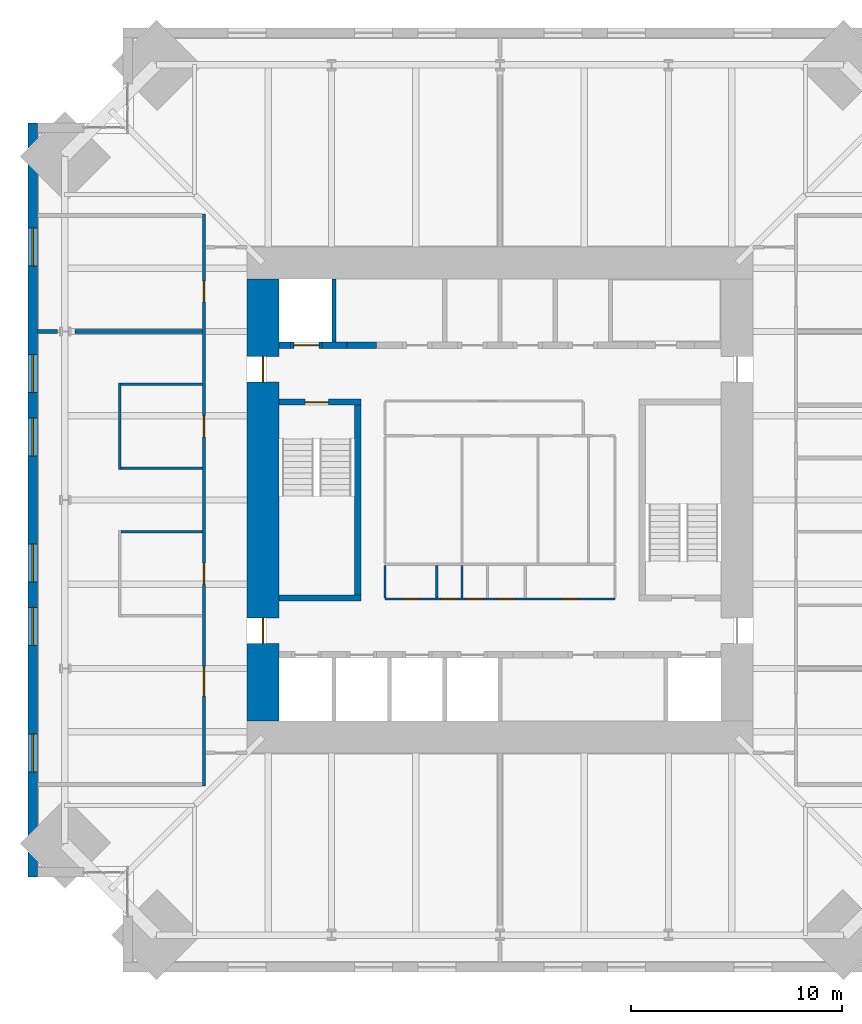
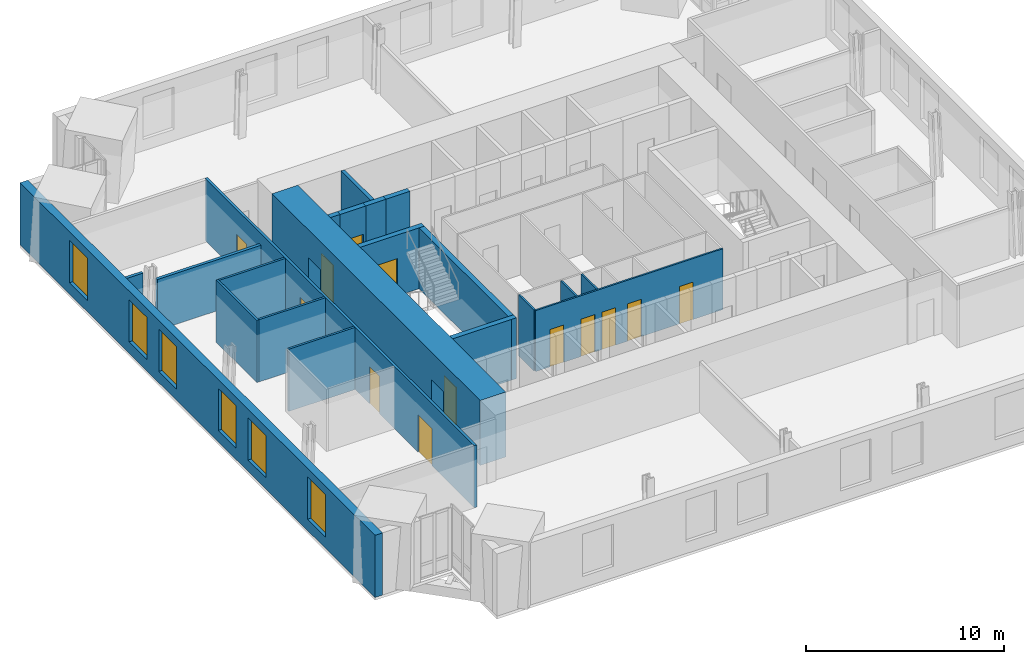
# One storey, part 13 of 17: 21 walls, 13 doors, 6 windows, 19 openings.
"""IFC4 building model written with IfcOpenShell, lengths in metres."""

from ifc_helpers import new_model, si_unit, direction, frame, frame_2d, origin, place, context, subcontext, project, spatial, rectangle, extrude, material, layer, layer_set, type_object, element, fill, save


model = new_model("IFC4")

# Units and contexts
model_context = context("Model", 3, precision=1e-05, world=origin(), true_north=direction((0.0, 1.0)))
body_context = subcontext(model_context, "Body", "Model", "MODEL_VIEW")
ifc_project = project(units=[si_unit("LENGTHUNIT", "METRE"), si_unit("AREAUNIT", "SQUARE_METRE"), si_unit("VOLUMEUNIT", "CUBIC_METRE"), si_unit("PLANEANGLEUNIT", "RADIAN"), si_unit("MASSUNIT", "GRAM", prefix="KILO")], contexts=[model_context])

# Site, building, storey
site_placement = place(None, origin())
site = spatial("IfcSite", under=ifc_project, at=site_placement, CompositionType="ELEMENT")
building_placement = place(site_placement, origin())
building = spatial("IfcBuilding", under=site, at=building_placement, Name="Peilmerk Tower", CompositionType="ELEMENT")
storey_placement = place(building_placement, frame((0.0, 0.0, 253.800048828125)))
storey = spatial("IfcBuildingStorey", under=building, at=storey_placement, Name="L56", CompositionType="ELEMENT", Elevation=253.800048828125)

# Wall, openings, windows
ifc_material_1 = material(Name="Precast concrete C45/55, board-marked finish", Category="concrete")
ifc_layer_1 = layer(ifc_material_1, 0.449951171875)
ifc_layer_set_1 = layer_set([ifc_layer_1], Name="Precast concrete C45/55, board-marked finish")
wall_type_1 = type_object("IfcWallType", Name="EW1 450 precast concrete facade wall, board-marked", PredefinedType="SOLIDWALL", material=ifc_layer_set_1)
wall_1_placement = place(storey_placement, frame((-22.175048828125, 17.89990234375, 0.0), z_axis=(0.0, 0.0, 1.0), x_axis=(0.0, -1.0, 0.0)))
wall_1 = element("IfcWall", 1, at=wall_1_placement, inside=storey, type_object=wall_type_1, Name="Facade wall W L56", PredefinedType="SOLIDWALL", context=body_context, shape_type="SweptSolid", body=[
    extrude(rectangle(XDim=35.7998046875, YDim=0.449951171875, at=frame_2d((17.89990234375, 0.0))), origin(), (0.0, 0.0, 1.0), 3.829833984375),
])
opening_1_placement = place(wall_1_placement, frame((5.0, 0.0, 0.699951171875)))
opening_1 = element("IfcOpeningElement", 2, at=opening_1_placement, cuts=wall_1, Name="Opening W1", PredefinedType="OPENING", context=body_context, shape_type="SweptSolid", body=[
    extrude(rectangle(XDim=1.800048828125, YDim=2.60009765625, at=frame_2d((0.89990234375, 1.300048828125))), frame((0.0, 0.23486328125, 0.0), z_axis=(0.0, -1.0, 0.0), x_axis=(1.0, 0.0, 0.0)), (0.0, 0.0, 1.0), 0.469970703125),
])
opening_2_placement = place(wall_1_placement, frame((11.0, 0.0, 0.699951171875)))
opening_2 = element("IfcOpeningElement", 3, at=opening_2_placement, cuts=wall_1, Name="Opening W1", PredefinedType="OPENING", context=body_context, shape_type="SweptSolid", body=[
    extrude(rectangle(XDim=1.800048828125, YDim=2.60009765625, at=frame_2d((0.89990234375, 1.300048828125))), frame((0.0, 0.23486328125, 0.0), z_axis=(0.0, -1.0, 0.0), x_axis=(1.0, 0.0, 0.0)), (0.0, 0.0, 1.0), 0.469970703125),
])
opening_3_placement = place(wall_1_placement, frame((14.0, 0.0, 0.699951171875)))
opening_3 = element("IfcOpeningElement", 4, at=opening_3_placement, cuts=wall_1, Name="Opening W1", PredefinedType="OPENING", context=body_context, shape_type="SweptSolid", body=[
    extrude(rectangle(XDim=1.800048828125, YDim=2.60009765625, at=frame_2d((0.89990234375, 1.300048828125))), frame((0.0, 0.23486328125, 0.0), z_axis=(0.0, -1.0, 0.0), x_axis=(1.0, 0.0, 0.0)), (0.0, 0.0, 1.0), 0.469970703125),
])
opening_4_placement = place(wall_1_placement, frame((20.0, 0.0, 0.699951171875)))
opening_4 = element("IfcOpeningElement", 5, at=opening_4_placement, cuts=wall_1, Name="Opening W1", PredefinedType="OPENING", context=body_context, shape_type="SweptSolid", body=[
    extrude(rectangle(XDim=1.800048828125, YDim=2.60009765625, at=frame_2d((0.89990234375, 1.300048828125))), frame((0.0, 0.23486328125, 0.0), z_axis=(0.0, -1.0, 0.0), x_axis=(1.0, 0.0, 0.0)), (0.0, 0.0, 1.0), 0.469970703125),
])
opening_5_placement = place(wall_1_placement, frame((23.0, 0.0, 0.699951171875)))
opening_5 = element("IfcOpeningElement", 6, at=opening_5_placement, cuts=wall_1, Name="Opening W1", PredefinedType="OPENING", context=body_context, shape_type="SweptSolid", body=[
    extrude(rectangle(XDim=1.800048828125, YDim=2.60009765625, at=frame_2d((0.89990234375, 1.300048828125))), frame((0.0, 0.23486328125, 0.0), z_axis=(0.0, -1.0, 0.0), x_axis=(1.0, 0.0, 0.0)), (0.0, 0.0, 1.0), 0.469970703125),
])
opening_6_placement = place(wall_1_placement, frame((29.0, 0.0, 0.699951171875)))
opening_6 = element("IfcOpeningElement", 7, at=opening_6_placement, cuts=wall_1, Name="Opening W1", PredefinedType="OPENING", context=body_context, shape_type="SweptSolid", body=[
    extrude(rectangle(XDim=1.800048828125, YDim=2.60009765625, at=frame_2d((0.89990234375, 1.300048828125))), frame((0.0, 0.23486328125, 0.0), z_axis=(0.0, -1.0, 0.0), x_axis=(1.0, 0.0, 0.0)), (0.0, 0.0, 1.0), 0.469970703125),
])
ifc_material_2 = material(Name="Aluminium frame, clear double glazing", Category="aluminium")
window_type = type_object("IfcWindowType", Name="W1 1800x2600 office window", PartitioningType="SINGLE_PANEL", PredefinedType="WINDOW", material=ifc_material_2)
window_1_placement = place(opening_1_placement, origin())
window_1 = element("IfcWindow", 8, at=window_1_placement, inside=storey, type_object=window_type, Name="Window W1 L56", OverallHeight=2.60009765625, OverallWidth=1.800048828125, PartitioningType="SINGLE_PANEL", PredefinedType="WINDOW", context=body_context, shape_type="SweptSolid", body=[
    extrude(rectangle(XDim=1.800048828125, YDim=2.60009765625, at=frame_2d((0.89990234375, 1.300048828125))), frame((0.0, 0.030029296875, 0.0), z_axis=(0.0, -1.0, 0.0), x_axis=(1.0, 0.0, 0.0)), (0.0, 0.0, 1.0), 0.06005859375),
])
fill(opening_1, window_1)
window_2_placement = place(opening_2_placement, origin())
window_2 = element("IfcWindow", 9, at=window_2_placement, inside=storey, type_object=window_type, Name="Window W1 L56", OverallHeight=2.60009765625, OverallWidth=1.800048828125, PartitioningType="SINGLE_PANEL", PredefinedType="WINDOW", context=body_context, shape_type="SweptSolid", body=[
    extrude(rectangle(XDim=1.800048828125, YDim=2.60009765625, at=frame_2d((0.89990234375, 1.300048828125))), frame((0.0, 0.030029296875, 0.0), z_axis=(0.0, -1.0, 0.0), x_axis=(1.0, 0.0, 0.0)), (0.0, 0.0, 1.0), 0.06005859375),
])
fill(opening_2, window_2)
window_3_placement = place(opening_3_placement, origin())
window_3 = element("IfcWindow", 10, at=window_3_placement, inside=storey, type_object=window_type, Name="Window W1 L56", OverallHeight=2.60009765625, OverallWidth=1.800048828125, PartitioningType="SINGLE_PANEL", PredefinedType="WINDOW", context=body_context, shape_type="SweptSolid", body=[
    extrude(rectangle(XDim=1.800048828125, YDim=2.60009765625, at=frame_2d((0.89990234375, 1.300048828125))), frame((0.0, 0.030029296875, 0.0), z_axis=(0.0, -1.0, 0.0), x_axis=(1.0, 0.0, 0.0)), (0.0, 0.0, 1.0), 0.06005859375),
])
fill(opening_3, window_3)
window_4_placement = place(opening_4_placement, origin())
window_4 = element("IfcWindow", 11, at=window_4_placement, inside=storey, type_object=window_type, Name="Window W1 L56", OverallHeight=2.60009765625, OverallWidth=1.800048828125, PartitioningType="SINGLE_PANEL", PredefinedType="WINDOW", context=body_context, shape_type="SweptSolid", body=[
    extrude(rectangle(XDim=1.800048828125, YDim=2.60009765625, at=frame_2d((0.89990234375, 1.300048828125))), frame((0.0, 0.030029296875, 0.0), z_axis=(0.0, -1.0, 0.0), x_axis=(1.0, 0.0, 0.0)), (0.0, 0.0, 1.0), 0.06005859375),
])
fill(opening_4, window_4)
window_5_placement = place(opening_5_placement, origin())
window_5 = element("IfcWindow", 12, at=window_5_placement, inside=storey, type_object=window_type, Name="Window W1 L56", OverallHeight=2.60009765625, OverallWidth=1.800048828125, PartitioningType="SINGLE_PANEL", PredefinedType="WINDOW", context=body_context, shape_type="SweptSolid", body=[
    extrude(rectangle(XDim=1.800048828125, YDim=2.60009765625, at=frame_2d((0.89990234375, 1.300048828125))), frame((0.0, 0.030029296875, 0.0), z_axis=(0.0, -1.0, 0.0), x_axis=(1.0, 0.0, 0.0)), (0.0, 0.0, 1.0), 0.06005859375),
])
fill(opening_5, window_5)
window_6_placement = place(opening_6_placement, origin())
window_6 = element("IfcWindow", 13, at=window_6_placement, inside=storey, type_object=window_type, Name="Window W1 L56", OverallHeight=2.60009765625, OverallWidth=1.800048828125, PartitioningType="SINGLE_PANEL", PredefinedType="WINDOW", context=body_context, shape_type="SweptSolid", body=[
    extrude(rectangle(XDim=1.800048828125, YDim=2.60009765625, at=frame_2d((0.89990234375, 1.300048828125))), frame((0.0, 0.030029296875, 0.0), z_axis=(0.0, -1.0, 0.0), x_axis=(1.0, 0.0, 0.0)), (0.0, 0.0, 1.0), 0.06005859375),
])
fill(opening_6, window_6)

# Wall, openings, doors
ifc_material_3 = material(Name="Calcium silicate block", Category="masonry")
ifc_layer_2 = layer(ifc_material_3, 0.14990234375)
ifc_layer_set_2 = layer_set([ifc_layer_2], Name="Calcium silicate block")
wall_type_2 = type_object("IfcWallType", Name="IW1 150 corridor partition, EI 60", PredefinedType="PARTITIONING", material=ifc_layer_set_2)
wall_2_placement = place(storey_placement, frame((-14.050048828125, 13.574951171875, 0.0), z_axis=(0.0, 0.0, 1.0), x_axis=(0.0, -1.0, 0.0)))
wall_2 = element("IfcWall", 14, at=wall_2_placement, inside=storey, type_object=wall_type_2, Name="Corridor wall W L56", PredefinedType="PARTITIONING", context=body_context, shape_type="SweptSolid", body=[
    extrude(rectangle(XDim=27.14990234375, YDim=0.14990234375, at=frame_2d((13.574951171875, 0.0))), origin(), (0.0, 0.0, 1.0), 3.829833984375),
])
opening_7_placement = place(wall_2_placement, frame((21.47509765625, 0.0, 0.0)))
opening_7 = element("IfcOpeningElement", 15, at=opening_7_placement, cuts=wall_2, Name="Opening D8", PredefinedType="OPENING", context=body_context, shape_type="SweptSolid", body=[
    extrude(rectangle(XDim=1.39990234375, YDim=2.300048828125, at=frame_2d((0.699951171875, 1.14990234375))), frame((0.0, 0.0849609375, 0.0), z_axis=(0.0, -1.0, 0.0), x_axis=(1.0, 0.0, 0.0)), (0.0, 0.0, 1.0), 0.169921875),
])
opening_8_placement = place(wall_2_placement, frame((3.175048828125, 0.0, 0.0)))
opening_8 = element("IfcOpeningElement", 16, at=opening_8_placement, cuts=wall_2, Name="Opening D1", PredefinedType="OPENING", context=body_context, shape_type="SweptSolid", body=[
    extrude(rectangle(XDim=1.0, YDim=2.300048828125, at=frame_2d((0.5, 1.14990234375))), frame((0.0, 0.0849609375, 0.0), z_axis=(0.0, -1.0, 0.0), x_axis=(1.0, 0.0, 0.0)), (0.0, 0.0, 1.0), 0.169921875),
])
opening_9_placement = place(wall_2_placement, frame((16.574951171875, 0.0, 0.0)))
opening_9 = element("IfcOpeningElement", 17, at=opening_9_placement, cuts=wall_2, Name="Opening D1", PredefinedType="OPENING", context=body_context, shape_type="SweptSolid", body=[
    extrude(rectangle(XDim=1.0, YDim=2.300048828125, at=frame_2d((0.5, 1.14990234375))), frame((0.0, 0.0849609375, 0.0), z_axis=(0.0, -1.0, 0.0), x_axis=(1.0, 0.0, 0.0)), (0.0, 0.0, 1.0), 0.169921875),
])
opening_10_placement = place(wall_2_placement, frame((9.574951171875, 0.0, 0.0)))
opening_10 = element("IfcOpeningElement", 18, at=opening_10_placement, cuts=wall_2, Name="Opening D1", PredefinedType="OPENING", context=body_context, shape_type="SweptSolid", body=[
    extrude(rectangle(XDim=1.0, YDim=2.300048828125, at=frame_2d((0.5, 1.14990234375))), frame((0.0, 0.0849609375, 0.0), z_axis=(0.0, -1.0, 0.0), x_axis=(1.0, 0.0, 0.0)), (0.0, 0.0, 1.0), 0.169921875),
])
ifc_material_4 = material(Name="Timber door in steel frame", Category="steel")
door_type_1 = type_object("IfcDoorType", Name="D1 1000x2300 room door, EI2 30", OperationType="SINGLE_SWING_LEFT", PredefinedType="DOOR", material=ifc_material_4)
door_1_placement = place(opening_8_placement, frame((1.0, 0.0, 0.0), z_axis=(0.0, 0.0, 1.0), x_axis=(-1.0, 0.0, 0.0)))
door_1 = element("IfcDoor", 19, at=door_1_placement, inside=storey, type_object=door_type_1, Name="Door Office L56", OperationType="SINGLE_SWING_LEFT", OverallHeight=2.300048828125, OverallWidth=1.0, PredefinedType="DOOR", context=body_context, shape_type="SweptSolid", body=[
    extrude(rectangle(XDim=1.0, YDim=2.300048828125, at=frame_2d((0.5, 1.14990234375))), frame((0.0, 0.02490234375, 0.0), z_axis=(0.0, -1.0, 0.0), x_axis=(1.0, 0.0, 0.0)), (0.0, 0.0, 1.0), 0.050048828125),
])
fill(opening_8, door_1)
door_2_placement = place(opening_9_placement, frame((1.0, 0.0, 0.0), z_axis=(0.0, 0.0, 1.0), x_axis=(-1.0, 0.0, 0.0)))
door_2 = element("IfcDoor", 20, at=door_2_placement, inside=storey, type_object=door_type_1, Name="Door Meeting room L56", OperationType="SINGLE_SWING_LEFT", OverallHeight=2.300048828125, OverallWidth=1.0, PredefinedType="DOOR", context=body_context, shape_type="SweptSolid", body=[
    extrude(rectangle(XDim=1.0, YDim=2.300048828125, at=frame_2d((0.5, 1.14990234375))), frame((0.0, 0.02490234375, 0.0), z_axis=(0.0, -1.0, 0.0), x_axis=(1.0, 0.0, 0.0)), (0.0, 0.0, 1.0), 0.050048828125),
])
fill(opening_9, door_2)
door_3_placement = place(opening_10_placement, frame((1.0, 0.0, 0.0), z_axis=(0.0, 0.0, 1.0), x_axis=(-1.0, 0.0, 0.0)))
door_3 = element("IfcDoor", 21, at=door_3_placement, inside=storey, type_object=door_type_1, Name="Door Meeting room L56", OperationType="SINGLE_SWING_LEFT", OverallHeight=2.300048828125, OverallWidth=1.0, PredefinedType="DOOR", context=body_context, shape_type="SweptSolid", body=[
    extrude(rectangle(XDim=1.0, YDim=2.300048828125, at=frame_2d((0.5, 1.14990234375))), frame((0.0, 0.02490234375, 0.0), z_axis=(0.0, -1.0, 0.0), x_axis=(1.0, 0.0, 0.0)), (0.0, 0.0, 1.0), 0.050048828125),
])
fill(opening_10, door_3)
door_type_2 = type_object("IfcDoorType", Name="D8 1400x2300 leaf-and-a-half door, EI2 30", OperationType="DOUBLE_DOOR_SINGLE_SWING", PredefinedType="DOOR", material=ifc_material_4)
door_4_placement = place(opening_7_placement, frame((1.39990234375, 0.0, 0.0), z_axis=(0.0, 0.0, 1.0), x_axis=(-1.0, 0.0, 0.0)))
door_4 = element("IfcDoor", 22, at=door_4_placement, inside=storey, type_object=door_type_2, Name="Door Tenant suite L56", OperationType="DOUBLE_DOOR_SINGLE_SWING", OverallHeight=2.300048828125, OverallWidth=1.39990234375, PredefinedType="DOOR", context=body_context, shape_type="SweptSolid", body=[
    extrude(rectangle(XDim=1.39990234375, YDim=2.300048828125, at=frame_2d((0.699951171875, 1.14990234375))), frame((0.0, 0.02490234375, 0.0), z_axis=(0.0, -1.0, 0.0), x_axis=(1.0, 0.0, 0.0)), (0.0, 0.0, 1.0), 0.050048828125),
])
fill(opening_7, door_4)

# Wall
ifc_material_5 = material(Name="Concrete C35/45", Category="concrete")
ifc_layer_3 = layer(ifc_material_5, 0.300048828125)
ifc_layer_set_3 = layer_set([ifc_layer_3], Name="Concrete C35/45")
wall_type_3 = type_object("IfcWallType", Name="IW3 300 concrete stair enclosure wall, EI 120", PredefinedType="SOLIDWALL", material=ifc_layer_set_3)
wall_3_placement = place(storey_placement, frame((-6.75, -4.800048828125, 0.0), z_axis=(0.0, 0.0, 1.0), x_axis=(0.0, 1.0, 0.0)))
element("IfcWall", 23, at=wall_3_placement, inside=storey, type_object=wall_type_3, Name="Stair 1 enclosure L56", PredefinedType="SOLIDWALL", context=body_context, shape_type="SweptSolid", body=[
    extrude(rectangle(XDim=9.60009765625, YDim=0.300048828125, at=frame_2d((4.800048828125, 0.0))), origin(), (0.0, 0.0, 1.0), 3.75),
])

# Wall, opening, door
wall_4_placement = place(storey_placement, frame((-10.5, 4.64990234375, 0.0), z_axis=(0.0, 0.0, 1.0), x_axis=(1.0, 0.0, 0.0)))
wall_4 = element("IfcWall", 24, at=wall_4_placement, inside=storey, type_object=wall_type_3, Name="Stair 1 enclosure L56", PredefinedType="SOLIDWALL", context=body_context, shape_type="SweptSolid", body=[
    extrude(rectangle(XDim=3.89990234375, YDim=0.300048828125, at=frame_2d((1.949951171875, 0.0))), origin(), (0.0, 0.0, 1.0), 3.75),
])
opening_11_placement = place(wall_4_placement, frame((1.25, 0.0, 0.0)))
opening_11 = element("IfcOpeningElement", 25, at=opening_11_placement, cuts=wall_4, Name="Opening D4", PredefinedType="OPENING", context=body_context, shape_type="SweptSolid", body=[
    extrude(rectangle(XDim=1.10009765625, YDim=2.300048828125, at=frame_2d((0.550048828125, 1.14990234375))), frame((0.0, 0.159912109375, 0.0), z_axis=(0.0, -1.0, 0.0), x_axis=(1.0, 0.0, 0.0)), (0.0, 0.0, 1.0), 0.320068359375),
])
ifc_material_6 = material(Name="Steel door in steel frame", Category="steel")
door_type_3 = type_object("IfcDoorType", Name="D4 1100x2300 stair door, EI2 60", OperationType="SINGLE_SWING_RIGHT", PredefinedType="DOOR", material=ifc_material_6)
door_5_placement = place(opening_11_placement, frame((1.10009765625, 0.0, 0.0), z_axis=(0.0, 0.0, 1.0), x_axis=(-1.0, 0.0, 0.0)))
door_5 = element("IfcDoor", 26, at=door_5_placement, inside=storey, type_object=door_type_3, Name="Stair 1 door L56", OperationType="SINGLE_SWING_RIGHT", OverallHeight=2.300048828125, OverallWidth=1.10009765625, PredefinedType="DOOR", context=body_context, shape_type="SweptSolid", body=[
    extrude(rectangle(XDim=1.10009765625, YDim=2.300048828125, at=frame_2d((0.550048828125, 1.14990234375))), frame((0.0, 0.02490234375, 0.0), z_axis=(0.0, -1.0, 0.0), x_axis=(1.0, 0.0, 0.0)), (0.0, 0.0, 1.0), 0.050048828125),
])
fill(opening_11, door_5)

# Wall
wall_5_placement = place(storey_placement, frame((-6.60009765625, -4.64990234375, 0.0), z_axis=(0.0, 0.0, 1.0), x_axis=(-1.0, 0.0, 0.0)))
element("IfcWall", 27, at=wall_5_placement, inside=storey, type_object=wall_type_3, Name="Stair 1 enclosure L56", PredefinedType="SOLIDWALL", context=body_context, shape_type="SweptSolid", body=[
    extrude(rectangle(XDim=3.89990234375, YDim=0.300048828125, at=frame_2d((1.949951171875, 0.0))), origin(), (0.0, 0.0, 1.0), 3.75),
])

# Wall, openings, doors
ifc_material_7 = material(Name="Calcium silicate board on steel studs", Category="steel")
ifc_layer_4 = layer(ifc_material_7, 0.10009765625)
ifc_layer_set_4 = layer_set([ifc_layer_4], Name="Calcium silicate board on steel studs")
wall_type_4 = type_object("IfcWallType", Name="IW5 100 riser enclosure wall, EI 60", PredefinedType="PARTITIONING", material=ifc_layer_set_4)
wall_6_placement = place(storey_placement, frame((5.449951171875, -4.699951171875, 0.0), z_axis=(0.0, 0.0, 1.0), x_axis=(-1.0, 0.0, 0.0)))
wall_6 = element("IfcWall", 28, at=wall_6_placement, inside=storey, type_object=wall_type_4, Name="Riser wall L56", PredefinedType="PARTITIONING", context=body_context, shape_type="SweptSolid", body=[
    extrude(rectangle(XDim=10.89990234375, YDim=0.10009765625, at=frame_2d((5.449951171875, 0.0))), origin(), (0.0, 0.0, 1.0), 3.75),
])
opening_12_placement = place(wall_6_placement, frame((9.27490234375, 0.0, 0.0)))
opening_12 = element("IfcOpeningElement", 29, at=opening_12_placement, cuts=wall_6, Name="Opening D7", PredefinedType="OPENING", context=body_context, shape_type="SweptSolid", body=[
    extrude(rectangle(XDim=0.800048828125, YDim=2.300048828125, at=frame_2d((0.39990234375, 1.14990234375))), frame((0.0, 0.06005859375, 0.0), z_axis=(0.0, -1.0, 0.0), x_axis=(1.0, 0.0, 0.0)), (0.0, 0.0, 1.0), 0.1201171875),
])
opening_13_placement = place(wall_6_placement, frame((7.449951171875, 0.0, 0.0)))
opening_13 = element("IfcOpeningElement", 30, at=opening_13_placement, cuts=wall_6, Name="Opening D7", PredefinedType="OPENING", context=body_context, shape_type="SweptSolid", body=[
    extrude(rectangle(XDim=0.800048828125, YDim=2.300048828125, at=frame_2d((0.39990234375, 1.14990234375))), frame((0.0, 0.06005859375, 0.0), z_axis=(0.0, -1.0, 0.0), x_axis=(1.0, 0.0, 0.0)), (0.0, 0.0, 1.0), 0.1201171875),
])
opening_14_placement = place(wall_6_placement, frame((6.25, 0.0, 0.0)))
opening_14 = element("IfcOpeningElement", 31, at=opening_14_placement, cuts=wall_6, Name="Opening D7", PredefinedType="OPENING", context=body_context, shape_type="SweptSolid", body=[
    extrude(rectangle(XDim=0.800048828125, YDim=2.300048828125, at=frame_2d((0.39990234375, 1.14990234375))), frame((0.0, 0.06005859375, 0.0), z_axis=(0.0, -1.0, 0.0), x_axis=(1.0, 0.0, 0.0)), (0.0, 0.0, 1.0), 0.1201171875),
])
opening_15_placement = place(wall_6_placement, frame((4.75, 0.0, 0.0)))
opening_15 = element("IfcOpeningElement", 32, at=opening_15_placement, cuts=wall_6, Name="Opening D7", PredefinedType="OPENING", context=body_context, shape_type="SweptSolid", body=[
    extrude(rectangle(XDim=0.800048828125, YDim=2.300048828125, at=frame_2d((0.39990234375, 1.14990234375))), frame((0.0, 0.06005859375, 0.0), z_axis=(0.0, -1.0, 0.0), x_axis=(1.0, 0.0, 0.0)), (0.0, 0.0, 1.0), 0.1201171875),
])
opening_16_placement = place(wall_6_placement, frame((1.72509765625, 0.0, 0.0)))
opening_16 = element("IfcOpeningElement", 33, at=opening_16_placement, cuts=wall_6, Name="Opening D7", PredefinedType="OPENING", context=body_context, shape_type="SweptSolid", body=[
    extrude(rectangle(XDim=0.800048828125, YDim=2.300048828125, at=frame_2d((0.39990234375, 1.14990234375))), frame((0.0, 0.06005859375, 0.0), z_axis=(0.0, -1.0, 0.0), x_axis=(1.0, 0.0, 0.0)), (0.0, 0.0, 1.0), 0.1201171875),
])
door_type_4 = type_object("IfcDoorType", Name="D7 800x2300 riser access door, EI2 60", OperationType="SINGLE_SWING_RIGHT", PredefinedType="DOOR", material=ifc_material_6)
door_6_placement = place(opening_12_placement, frame((0.800048828125, 0.0, 0.0), z_axis=(0.0, 0.0, 1.0), x_axis=(-1.0, 0.0, 0.0)))
door_6 = element("IfcDoor", 34, at=door_6_placement, inside=storey, type_object=door_type_4, Name="Electrical room door L56", OperationType="SINGLE_SWING_RIGHT", OverallHeight=2.300048828125, OverallWidth=0.800048828125, PredefinedType="DOOR", context=body_context, shape_type="SweptSolid", body=[
    extrude(rectangle(XDim=0.800048828125, YDim=2.300048828125, at=frame_2d((0.39990234375, 1.14990234375))), frame((0.0, 0.02490234375, 0.0), z_axis=(0.0, -1.0, 0.0), x_axis=(1.0, 0.0, 0.0)), (0.0, 0.0, 1.0), 0.050048828125),
])
fill(opening_12, door_6)
door_7_placement = place(opening_13_placement, frame((0.800048828125, 0.0, 0.0), z_axis=(0.0, 0.0, 1.0), x_axis=(-1.0, 0.0, 0.0)))
door_7 = element("IfcDoor", 35, at=door_7_placement, inside=storey, type_object=door_type_4, Name="Electrical riser door L56", OperationType="SINGLE_SWING_RIGHT", OverallHeight=2.300048828125, OverallWidth=0.800048828125, PredefinedType="DOOR", context=body_context, shape_type="SweptSolid", body=[
    extrude(rectangle(XDim=0.800048828125, YDim=2.300048828125, at=frame_2d((0.39990234375, 1.14990234375))), frame((0.0, 0.02490234375, 0.0), z_axis=(0.0, -1.0, 0.0), x_axis=(1.0, 0.0, 0.0)), (0.0, 0.0, 1.0), 0.050048828125),
])
fill(opening_13, door_7)
door_8_placement = place(opening_14_placement, frame((0.800048828125, 0.0, 0.0), z_axis=(0.0, 0.0, 1.0), x_axis=(-1.0, 0.0, 0.0)))
door_8 = element("IfcDoor", 36, at=door_8_placement, inside=storey, type_object=door_type_4, Name="Data riser door L56", OperationType="SINGLE_SWING_RIGHT", OverallHeight=2.300048828125, OverallWidth=0.800048828125, PredefinedType="DOOR", context=body_context, shape_type="SweptSolid", body=[
    extrude(rectangle(XDim=0.800048828125, YDim=2.300048828125, at=frame_2d((0.39990234375, 1.14990234375))), frame((0.0, 0.02490234375, 0.0), z_axis=(0.0, -1.0, 0.0), x_axis=(1.0, 0.0, 0.0)), (0.0, 0.0, 1.0), 0.050048828125),
])
fill(opening_14, door_8)
door_9_placement = place(opening_15_placement, frame((0.800048828125, 0.0, 0.0), z_axis=(0.0, 0.0, 1.0), x_axis=(-1.0, 0.0, 0.0)))
door_9 = element("IfcDoor", 37, at=door_9_placement, inside=storey, type_object=door_type_4, Name="Cleaner's cupboard door L56", OperationType="SINGLE_SWING_RIGHT", OverallHeight=2.300048828125, OverallWidth=0.800048828125, PredefinedType="DOOR", context=body_context, shape_type="SweptSolid", body=[
    extrude(rectangle(XDim=0.800048828125, YDim=2.300048828125, at=frame_2d((0.39990234375, 1.14990234375))), frame((0.0, 0.02490234375, 0.0), z_axis=(0.0, -1.0, 0.0), x_axis=(1.0, 0.0, 0.0)), (0.0, 0.0, 1.0), 0.050048828125),
])
fill(opening_15, door_9)
door_10_placement = place(opening_16_placement, frame((0.800048828125, 0.0, 0.0), z_axis=(0.0, 0.0, 1.0), x_axis=(-1.0, 0.0, 0.0)))
door_10 = element("IfcDoor", 38, at=door_10_placement, inside=storey, type_object=door_type_4, Name="Comms room door L56", OperationType="SINGLE_SWING_RIGHT", OverallHeight=2.300048828125, OverallWidth=0.800048828125, PredefinedType="DOOR", context=body_context, shape_type="SweptSolid", body=[
    extrude(rectangle(XDim=0.800048828125, YDim=2.300048828125, at=frame_2d((0.39990234375, 1.14990234375))), frame((0.0, 0.02490234375, 0.0), z_axis=(0.0, -1.0, 0.0), x_axis=(1.0, 0.0, 0.0)), (0.0, 0.0, 1.0), 0.050048828125),
])
fill(opening_16, door_10)

# Walls
for number, where, z_axis, x_axis, name in (
    (39, (-5.449951171875, -3.10009765625, 0.0), (0.0, 0.0, 1.0), (0.0, -1.0, 0.0), "Riser wall L56"),
    (40, (-3.0, -3.10009765625, 0.0), (0.0, 0.0, 1.0), (0.0, -1.0, 0.0), "Riser wall L56"),
    (41, (-1.800048828125, -3.10009765625, 0.0), (0.0, 0.0, 1.0), (0.0, -1.0, 0.0), "Riser wall L56"),
):
    element("IfcWall", number, at=place(storey_placement, frame(where, z_axis=z_axis, x_axis=x_axis)), inside=storey, type_object=wall_type_4, Name=name, PredefinedType="PARTITIONING", context=body_context, shape_type="SweptSolid", body=[
        extrude(rectangle(XDim=1.5498046875, YDim=0.10009765625, at=frame_2d((0.77490234375, 0.0))), origin(), (0.0, 0.0, 1.0), 3.75),
    ])
ifc_material_8 = material(Name="Plasterboard on steel studs, double boarded with mineral wool", Category="steel")
ifc_layer_5 = layer(ifc_material_8, 0.125)
ifc_layer_set_5 = layer_set([ifc_layer_5], Name="Plasterboard on steel studs, double boarded with mineral wool")
wall_type_5 = type_object("IfcWallType", Name="IW7 125 acoustic partition, EI 30", PredefinedType="PARTITIONING", material=ifc_layer_set_5)
wall_7_placement = place(storey_placement, frame((-14.125, -1.5, 0.0), z_axis=(0.0, 0.0, 1.0), x_axis=(-1.0, 0.0, 0.0)))
element("IfcWall", 42, at=wall_7_placement, inside=storey, type_object=wall_type_5, Name="Acoustic partition Meeting room L56", PredefinedType="PARTITIONING", context=body_context, shape_type="SweptSolid", body=[
    extrude(rectangle(XDim=3.862548828125, YDim=0.125, at=frame_2d((1.93115234375, 0.0))), origin(), (0.0, 0.0, 1.0), 3.829833984375),
])
wall_8_placement = place(storey_placement, frame((-18.050048828125, 1.4375, 0.0), z_axis=(0.0, 0.0, 1.0), x_axis=(0.0, 1.0, 0.0)))
element("IfcWall", 43, at=wall_8_placement, inside=storey, type_object=wall_type_5, Name="Acoustic partition Meeting room L56", PredefinedType="PARTITIONING", context=body_context, shape_type="SweptSolid", body=[
    extrude(rectangle(XDim=4.125, YDim=0.125, at=frame_2d((2.0625, 0.0))), origin(), (0.0, 0.0, 1.0), 3.829833984375),
])
for number, where, z_axis, x_axis, name in (
    (44, (-14.125, 1.5, 0.0), (0.0, 0.0, 1.0), (-1.0, 0.0, 0.0), "Acoustic partition Meeting room L56"),
    (45, (-14.125, 5.5, 0.0), (0.0, 0.0, 1.0), (-1.0, 0.0, 0.0), "Acoustic partition Meeting room L56"),
):
    element("IfcWall", number, at=place(storey_placement, frame(where, z_axis=z_axis, x_axis=x_axis)), inside=storey, type_object=wall_type_5, Name=name, PredefinedType="PARTITIONING", context=body_context, shape_type="SweptSolid", body=[
        extrude(rectangle(XDim=3.862548828125, YDim=0.125, at=frame_2d((1.93115234375, 0.0))), origin(), (0.0, 0.0, 1.0), 3.829833984375),
    ])
ifc_layer_6 = layer(ifc_material_3, 0.175048828125)
ifc_layer_set_6 = layer_set([ifc_layer_6], Name="Calcium silicate block")
wall_type_6 = type_object("IfcWallType", Name="IW8 175 tenant separating wall, EI 60", PredefinedType="PARTITIONING", material=ifc_layer_set_6)
wall_9_placement = place(storey_placement, frame((-14.125, 8.0, 0.0), z_axis=(0.0, 0.0, 1.0), x_axis=(-1.0, 0.0, 0.0)))
element("IfcWall", 46, at=wall_9_placement, inside=storey, type_object=wall_type_6, Name="Tenant separating wall W1 L56", PredefinedType="PARTITIONING", context=body_context, shape_type="SweptSolid", body=[
    extrude(rectangle(XDim=6.046875, YDim=0.175048828125, at=frame_2d((3.0234375, 0.0))), origin(), (0.0, 0.0, 1.0), 3.139892578125),
])
wall_10_placement = place(storey_placement, frame((-20.992431640625, 8.0, 0.0), z_axis=(0.0, 0.0, 1.0), x_axis=(-1.0, 0.0, 0.0)))
element("IfcWall", 47, at=wall_10_placement, inside=storey, type_object=wall_type_6, Name="Tenant separating wall W1b L56", PredefinedType="PARTITIONING", context=body_context, shape_type="SweptSolid", body=[
    extrude(rectangle(XDim=0.95751953125, YDim=0.175048828125, at=frame_2d((0.478759765625, 0.0))), origin(), (0.0, 0.0, 1.0), 3.829833984375),
])
ifc_layer_7 = layer(ifc_material_3, 0.199951171875)
ifc_layer_set_7 = layer_set([ifc_layer_7], Name="Calcium silicate block")
wall_type_7 = type_object("IfcWallType", Name="SH1 200 shaft dividing wall, EI 120", PredefinedType="PARTITIONING", material=ifc_layer_set_7)
wall_11_placement = place(storey_placement, frame((-7.875, 7.5, 0.0), z_axis=(0.0, 0.0, 1.0), x_axis=(0.0, 1.0, 0.0)))
element("IfcWall", 48, at=wall_11_placement, inside=storey, type_object=wall_type_7, Name="Shaft wall N FL1 L56", PredefinedType="PARTITIONING", context=body_context, shape_type="SweptSolid", body=[
    extrude(rectangle(XDim=3.0, YDim=0.199951171875, at=frame_2d((1.5, 0.0))), origin(), (0.0, 0.0, 1.0), 4.0),
])

# Wall, opening, door
ifc_layer_8 = layer(ifc_material_3, 0.300048828125)
ifc_layer_set_8 = layer_set([ifc_layer_8], Name="Calcium silicate block")
wall_type_8 = type_object("IfcWallType", Name="SH2 300 lift landing door panel, EI 120", PredefinedType="PARTITIONING", material=ifc_layer_set_8)
wall_12_placement = place(storey_placement, frame((-9.9375, 7.35009765625, 0.0), z_axis=(0.0, 0.0, 1.0), x_axis=(1.0, 0.0, 0.0)))
wall_12 = element("IfcWall", 49, at=wall_12_placement, inside=storey, type_object=wall_type_8, Name="Lift door panel N FL1 L56", PredefinedType="PARTITIONING", context=body_context, shape_type="SweptSolid", body=[
    extrude(rectangle(XDim=1.5, YDim=0.300048828125, at=frame_2d((0.75, 0.0))), origin(), (0.0, 0.0, 1.0), 4.0),
])
opening_17_placement = place(wall_12_placement, frame((0.14990234375, 0.0, 0.0)))
opening_17 = element("IfcOpeningElement", 50, at=opening_17_placement, cuts=wall_12, Name="Opening LD2", PredefinedType="OPENING", context=body_context, shape_type="SweptSolid", body=[
    extrude(rectangle(XDim=1.199951171875, YDim=2.300048828125, at=frame_2d((0.60009765625, 1.14990234375))), frame((0.0, 0.159912109375, 0.0), z_axis=(0.0, -1.0, 0.0), x_axis=(1.0, 0.0, 0.0)), (0.0, 0.0, 1.0), 0.320068359375),
])
ifc_material_9 = material(Name="Stainless steel landing door", Category="steel")
door_type_5 = type_object("IfcDoorType", Name="LD2 1200x2300 lift landing door, sliding, EI2 60", OperationType="SLIDING_TO_LEFT", PredefinedType="DOOR", material=ifc_material_9)
door_11_placement = place(opening_17_placement, frame((1.199951171875, 0.0, 0.0), z_axis=(0.0, 0.0, 1.0), x_axis=(-1.0, 0.0, 0.0)))
door_11 = element("IfcDoor", 51, at=door_11_placement, inside=storey, type_object=door_type_5, Name="Lift landing door FL1 L56", OperationType="SLIDING_TO_LEFT", OverallHeight=2.300048828125, OverallWidth=1.199951171875, PredefinedType="DOOR", context=body_context, shape_type="SweptSolid", body=[
    extrude(rectangle(XDim=1.199951171875, YDim=2.300048828125, at=frame_2d((0.60009765625, 1.14990234375))), frame((0.0, 0.02490234375, 0.0), z_axis=(0.0, -1.0, 0.0), x_axis=(1.0, 0.0, 0.0)), (0.0, 0.0, 1.0), 0.050048828125),
])
fill(opening_17, door_11)

# Wall
wall_13_placement = place(storey_placement, frame((-7.262451171875, 7.35009765625, 0.0), z_axis=(0.0, 0.0, 1.0), x_axis=(1.0, 0.0, 0.0)))
element("IfcWall", 52, at=wall_13_placement, inside=storey, type_object=wall_type_8, Name="Lift door panel N A1 L56", PredefinedType="PARTITIONING", context=body_context, shape_type="SweptSolid", body=[
    extrude(rectangle(XDim=1.39990234375, YDim=0.300048828125, at=frame_2d((0.699951171875, 0.0))), origin(), (0.0, 0.0, 1.0), 4.0),
])

# Wall, openings, doors
ifc_material_10 = material(Name="Concrete C55/67", Category="concrete")
ifc_layer_9 = layer(ifc_material_10, 1.5)
ifc_layer_set_9 = layer_set([ifc_layer_9], Name="Concrete C55/67")
wall_type_9 = type_object("IfcWallType", Name="SW1 1500 core wall", PredefinedType="SHEAR", material=ifc_layer_set_9)
wall_14_placement = place(storey_placement, frame((-11.25, -10.5, 0.0), z_axis=(0.0, 0.0, 1.0), x_axis=(0.0, 1.0, 0.0)))
wall_14 = element("IfcWall", 53, at=wall_14_placement, inside=storey, type_object=wall_type_9, Name="Core wall W L56", PredefinedType="SHEAR", context=body_context, shape_type="SweptSolid", body=[
    extrude(rectangle(XDim=21.0, YDim=1.5, at=frame_2d((10.5, 0.0))), origin(), (0.0, 0.0, 1.0), 4.0),
])
opening_18_placement = place(wall_14_placement, frame((16.10009765625, 0.0, 0.0)))
opening_18 = element("IfcOpeningElement", 54, at=opening_18_placement, cuts=wall_14, Name="Opening D3", PredefinedType="OPENING", context=body_context, shape_type="SweptSolid", body=[
    extrude(rectangle(XDim=1.199951171875, YDim=2.300048828125, at=frame_2d((0.60009765625, 1.14990234375))), frame((0.0, 0.760009765625, 0.0), z_axis=(0.0, -1.0, 0.0), x_axis=(1.0, 0.0, 0.0)), (0.0, 0.0, 1.0), 1.52001953125),
])
opening_19_placement = place(wall_14_placement, frame((3.699951171875, 0.0, 0.0)))
opening_19 = element("IfcOpeningElement", 55, at=opening_19_placement, cuts=wall_14, Name="Opening D3", PredefinedType="OPENING", context=body_context, shape_type="SweptSolid", body=[
    extrude(rectangle(XDim=1.199951171875, YDim=2.300048828125, at=frame_2d((0.60009765625, 1.14990234375))), frame((0.0, 0.760009765625, 0.0), z_axis=(0.0, -1.0, 0.0), x_axis=(1.0, 0.0, 0.0)), (0.0, 0.0, 1.0), 1.52001953125),
])
door_type_6 = type_object("IfcDoorType", Name="D3 1200x2300 core door, EI2 60", OperationType="SINGLE_SWING_LEFT", PredefinedType="DOOR", material=ifc_material_6)
door_12_placement = place(opening_18_placement, frame((1.199951171875, 0.0, 0.0), z_axis=(0.0, 0.0, 1.0), x_axis=(-1.0, 0.0, 0.0)))
door_12 = element("IfcDoor", 56, at=door_12_placement, inside=storey, type_object=door_type_6, Name="Core door L56", OperationType="SINGLE_SWING_LEFT", OverallHeight=2.300048828125, OverallWidth=1.199951171875, PredefinedType="DOOR", context=body_context, shape_type="SweptSolid", body=[
    extrude(rectangle(XDim=1.199951171875, YDim=2.300048828125, at=frame_2d((0.60009765625, 1.14990234375))), frame((0.0, 0.02490234375, 0.0), z_axis=(0.0, -1.0, 0.0), x_axis=(1.0, 0.0, 0.0)), (0.0, 0.0, 1.0), 0.050048828125),
])
fill(opening_18, door_12)
door_13_placement = place(opening_19_placement, frame((1.199951171875, 0.0, 0.0), z_axis=(0.0, 0.0, 1.0), x_axis=(-1.0, 0.0, 0.0)))
door_13 = element("IfcDoor", 57, at=door_13_placement, inside=storey, type_object=door_type_6, Name="Core door L56", OperationType="SINGLE_SWING_LEFT", OverallHeight=2.300048828125, OverallWidth=1.199951171875, PredefinedType="DOOR", context=body_context, shape_type="SweptSolid", body=[
    extrude(rectangle(XDim=1.199951171875, YDim=2.300048828125, at=frame_2d((0.60009765625, 1.14990234375))), frame((0.0, 0.02490234375, 0.0), z_axis=(0.0, -1.0, 0.0), x_axis=(1.0, 0.0, 0.0)), (0.0, 0.0, 1.0), 0.050048828125),
])
fill(opening_19, door_13)

# Walls
ifc_layer_10 = layer(ifc_material_10, 0.300048828125)
ifc_layer_set_10 = layer_set([ifc_layer_10], Name="Concrete C55/67")
wall_type_10 = type_object("IfcWallType", Name="SW2 300 lift bank pier", PredefinedType="SHEAR", material=ifc_layer_set_10)
wall_15_placement = place(storey_placement, frame((-10.5, 7.35009765625, 0.0), z_axis=(0.0, 0.0, 1.0), x_axis=(1.0, 0.0, 0.0)))
element("IfcWall", 58, at=wall_15_placement, inside=storey, type_object=wall_type_10, Name="Lift bank pier N L56", PredefinedType="SHEAR", context=body_context, shape_type="SweptSolid", body=[
    extrude(rectangle(XDim=0.5625, YDim=0.300048828125, at=frame_2d((0.28125, 0.0))), origin(), (0.0, 0.0, 1.0), 4.0),
])
wall_16_placement = place(storey_placement, frame((-8.4375, 7.35009765625, 0.0), z_axis=(0.0, 0.0, 1.0), x_axis=(1.0, 0.0, 0.0)))
element("IfcWall", 59, at=wall_16_placement, inside=storey, type_object=wall_type_10, Name="Lift bank pier N L56", PredefinedType="SHEAR", context=body_context, shape_type="SweptSolid", body=[
    extrude(rectangle(XDim=1.175048828125, YDim=0.300048828125, at=frame_2d((0.58740234375, 0.0))), origin(), (0.0, 0.0, 1.0), 4.0),
])

save(model, "model.ifc")
